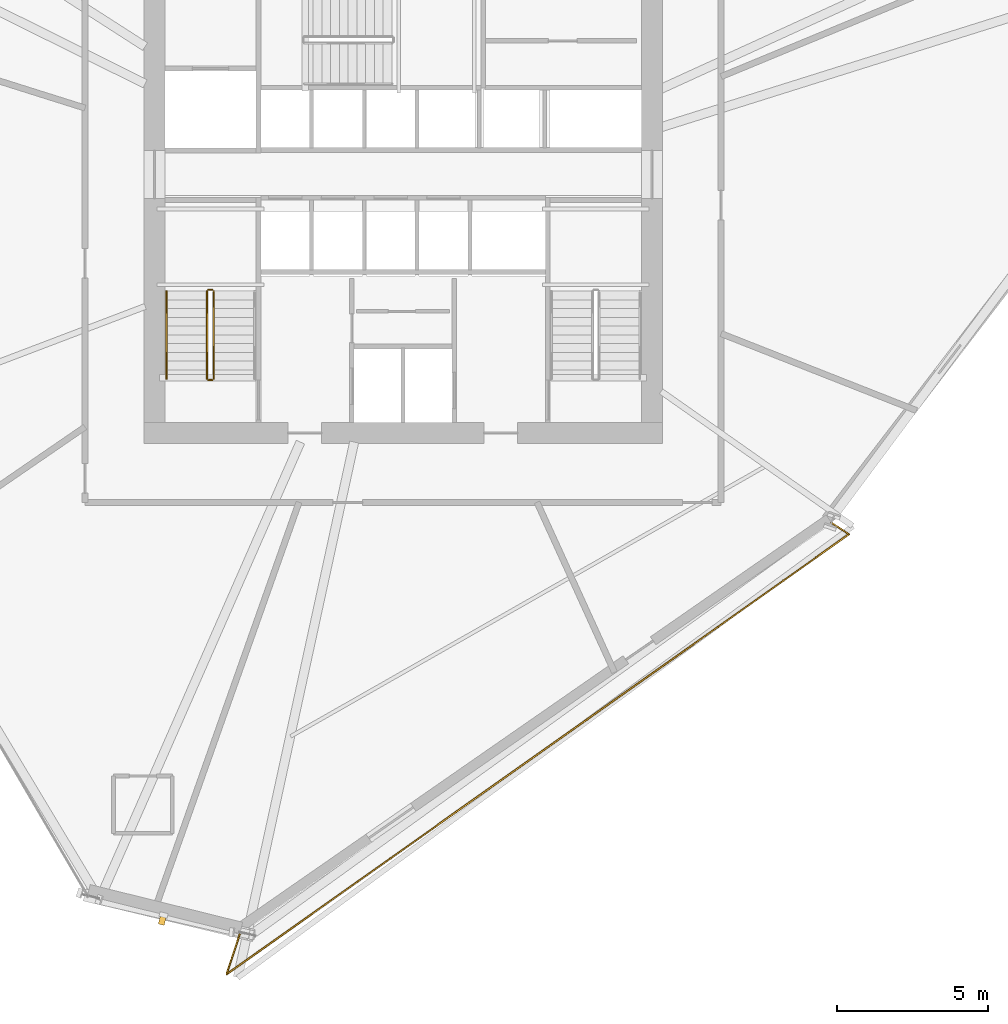
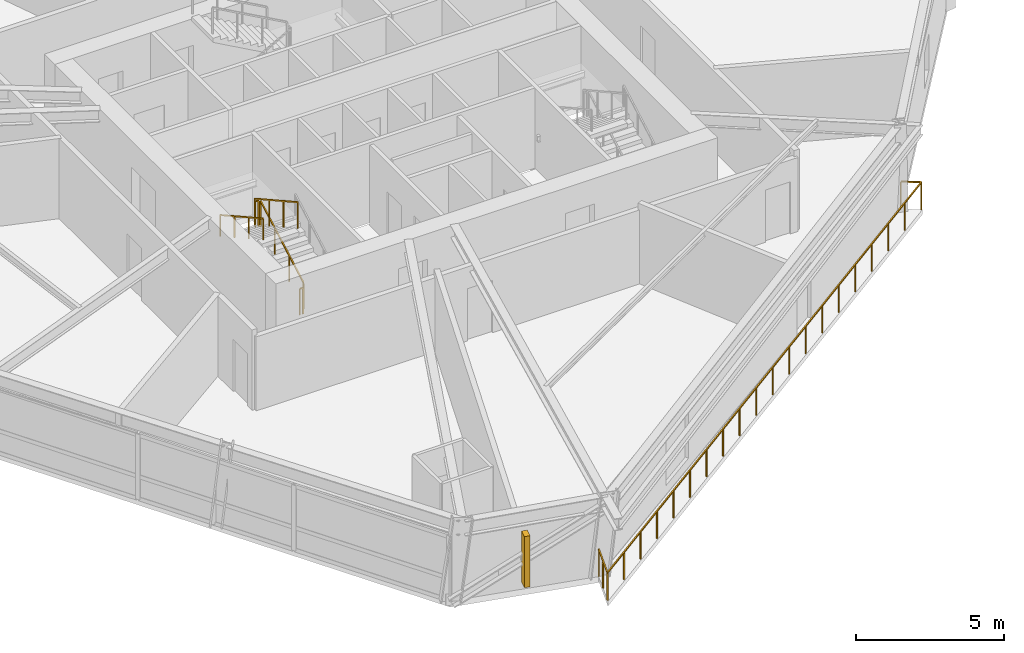
# One storey, part 14 of 17: 6 railings, 1 shading device.
"""IFC4 building model written with IfcOpenShell, lengths in metres."""

from ifc_helpers import new_model, si_unit, direction, frame, origin, origin_2d, place, context, subcontext, project, spatial, rectangle, extrude, source, transform, mapped, material, type_object, element, save


model = new_model("IFC4")

# Units and contexts
model_context = context("Model", 3, precision=1e-05, world=origin(), true_north=direction((0.0, 1.0)))
body_context = subcontext(model_context, "Body", "Model", "MODEL_VIEW")
ifc_project = project(units=[si_unit("LENGTHUNIT", "METRE"), si_unit("AREAUNIT", "SQUARE_METRE"), si_unit("VOLUMEUNIT", "CUBIC_METRE"), si_unit("PLANEANGLEUNIT", "RADIAN"), si_unit("MASSUNIT", "GRAM", prefix="KILO")], contexts=[model_context])

# Site, building, storey
site_placement = place(None, origin())
site = spatial("IfcSite", under=ifc_project, at=site_placement, CompositionType="ELEMENT")
building_placement = place(site_placement, origin())
building = spatial("IfcBuilding", under=site, at=building_placement, Name="Olszyna Solenne Hotel", CompositionType="ELEMENT")
storey_placement = place(building_placement, frame((0.0, 0.0, 116.35009765625)))
storey = spatial("IfcBuildingStorey", under=building, at=storey_placement, Name="L30", CompositionType="ELEMENT", Elevation=116.35009765625)

# Railings
ifc_material_1 = material(Name="Anodised bronze aluminium", Category="aluminium")
railing_type_1 = type_object("IfcRailingType", Name="GR-110", PredefinedType="BALUSTRADE", material=ifc_material_1)
railing_1_placement = place(storey_placement, frame((32.58837890625, 2.549072265625, 0.0)))
element("IfcRailing", 1, at=railing_1_placement, inside=storey, type_object=railing_type_1, Name="Loggia balcony balustrade guard GR-L30-LG3", PredefinedType="BALUSTRADE", context=body_context, shape_type="SweptSolid", body=[
    extrude(rectangle(XDim=0.048095703125, YDim=0.048095703125, at=origin_2d()), frame((0.0, 0.0, 1.1259765625), z_axis=(-0.309611378736, -0.950863183722, 0.0), x_axis=(0.950863183722, -0.309611378736, 0.0)), (0.0, 0.0, 1.0), 1.418701171875),
    extrude(rectangle(XDim=0.048095703125, YDim=0.048095703125, at=origin_2d()), frame((-0.439208984375, -1.348876953125, 1.1259765625), z_axis=(0.816607880192, 0.577192836068, 0.0), x_axis=(-0.577192836068, 0.816607880192, 0.0)), (0.0, 0.0, 1.0), 25.272216796875),
    extrude(rectangle(XDim=0.048095703125, YDim=0.048095703125, at=origin_2d()), frame((20.1982421875, 13.238037109375, 1.1259765625), z_axis=(-0.832540083416, 0.553964808906, 0.0), x_axis=(-0.553964808906, -0.832540083416, 0.0)), (0.0, 0.0, 1.0), 0.689697265625),
    extrude(rectangle(XDim=0.0419921875, YDim=0.0419921875, at=origin_2d()), origin(), (0.0, 0.0, 1.0), 1.101806640625),
    extrude(rectangle(XDim=0.0419921875, YDim=0.0419921875, at=origin_2d()), frame((-0.2197265625, -0.67431640625, 0.0)), (0.0, 0.0, 1.0), 1.101806640625),
    extrude(rectangle(XDim=0.0419921875, YDim=0.0419921875, at=origin_2d()), frame((-0.439208984375, -1.348876953125, 0.0)), (0.0, 0.0, 1.0), 1.101806640625),
    extrude(rectangle(XDim=0.0419921875, YDim=0.0419921875, at=origin_2d()), frame((0.64697265625, -0.5810546875, 0.0)), (0.0, 0.0, 1.0), 1.101806640625),
    extrude(rectangle(XDim=0.0419921875, YDim=0.0419921875, at=origin_2d()), frame((1.733154296875, 0.1865234375, 0.0)), (0.0, 0.0, 1.0), 1.101806640625),
    extrude(rectangle(XDim=0.0419921875, YDim=0.0419921875, at=origin_2d()), frame((2.8193359375, 0.954345703125, 0.0)), (0.0, 0.0, 1.0), 1.101806640625),
    extrude(rectangle(XDim=0.0419921875, YDim=0.0419921875, at=origin_2d()), frame((3.905517578125, 1.72216796875, 0.0)), (0.0, 0.0, 1.0), 1.101806640625),
    extrude(rectangle(XDim=0.0419921875, YDim=0.0419921875, at=origin_2d()), frame((4.99169921875, 2.48974609375, 0.0)), (0.0, 0.0, 1.0), 1.101806640625),
    extrude(rectangle(XDim=0.0419921875, YDim=0.0419921875, at=origin_2d()), frame((6.077880859375, 3.257568359375, 0.0)), (0.0, 0.0, 1.0), 1.101806640625),
    extrude(rectangle(XDim=0.0419921875, YDim=0.0419921875, at=origin_2d()), frame((7.1640625, 4.025146484375, 0.0)), (0.0, 0.0, 1.0), 1.101806640625),
    extrude(rectangle(XDim=0.0419921875, YDim=0.0419921875, at=origin_2d()), frame((8.250244140625, 4.79296875, 0.0)), (0.0, 0.0, 1.0), 1.101806640625),
    extrude(rectangle(XDim=0.0419921875, YDim=0.0419921875, at=origin_2d()), frame((9.33642578125, 5.560791015625, 0.0)), (0.0, 0.0, 1.0), 1.101806640625),
    extrude(rectangle(XDim=0.0419921875, YDim=0.0419921875, at=origin_2d()), frame((10.422607421875, 6.328369140625, 0.0)), (0.0, 0.0, 1.0), 1.101806640625),
    extrude(rectangle(XDim=0.0419921875, YDim=0.0419921875, at=origin_2d()), frame((11.5087890625, 7.09619140625, 0.0)), (0.0, 0.0, 1.0), 1.101806640625),
    extrude(rectangle(XDim=0.0419921875, YDim=0.0419921875, at=origin_2d()), frame((12.594970703125, 7.864013671875, 0.0)), (0.0, 0.0, 1.0), 1.101806640625),
    extrude(rectangle(XDim=0.0419921875, YDim=0.0419921875, at=origin_2d()), frame((13.68115234375, 8.631591796875, 0.0)), (0.0, 0.0, 1.0), 1.101806640625),
    extrude(rectangle(XDim=0.0419921875, YDim=0.0419921875, at=origin_2d()), frame((14.767333984375, 9.3994140625, 0.0)), (0.0, 0.0, 1.0), 1.101806640625),
    extrude(rectangle(XDim=0.0419921875, YDim=0.0419921875, at=origin_2d()), frame((15.853515625, 10.1669921875, 0.0)), (0.0, 0.0, 1.0), 1.101806640625),
    extrude(rectangle(XDim=0.0419921875, YDim=0.0419921875, at=origin_2d()), frame((16.939697265625, 10.934814453125, 0.0)), (0.0, 0.0, 1.0), 1.101806640625),
    extrude(rectangle(XDim=0.0419921875, YDim=0.0419921875, at=origin_2d()), frame((18.02587890625, 11.70263671875, 0.0)), (0.0, 0.0, 1.0), 1.101806640625),
    extrude(rectangle(XDim=0.0419921875, YDim=0.0419921875, at=origin_2d()), frame((19.112060546875, 12.47021484375, 0.0)), (0.0, 0.0, 1.0), 1.101806640625),
    extrude(rectangle(XDim=0.0419921875, YDim=0.0419921875, at=origin_2d()), frame((20.1982421875, 13.238037109375, 0.0)), (0.0, 0.0, 1.0), 1.101806640625),
    extrude(rectangle(XDim=0.0419921875, YDim=0.0419921875, at=origin_2d()), frame((19.6240234375, 13.6201171875, 0.0)), (0.0, 0.0, 1.0), 1.101806640625),
])
railing_2_placement = place(storey_placement, frame((31.719970703125, 20.949951171875, 0.161376953125)))
element("IfcRailing", 2, at=railing_2_placement, inside=storey, type_object=railing_type_1, Name="L30 ST1 stair guard 1", PredefinedType="BALUSTRADE", context=body_context, shape_type="SweptSolid", body=[
    extrude(rectangle(XDim=0.048095703125, YDim=0.048095703125, at=origin_2d()), frame((0.0, 0.0, 1.076171875), z_axis=(0.0, 0.873858693841, 0.486179990537), x_axis=(-1.0, 0.0, 0.0)), (0.0, 0.0, 1.0), 3.31884765625),
    extrude(rectangle(XDim=0.0419921875, YDim=0.0419921875, at=origin_2d()), origin(), (0.0, 0.0, 1.0), 1.052001953125),
    extrude(rectangle(XDim=0.0419921875, YDim=0.0419921875, at=origin_2d()), frame((0.0, 0.966796875, 0.537841796875)), (0.0, 0.0, 1.0), 1.052001953125),
    extrude(rectangle(XDim=0.0419921875, YDim=0.0419921875, at=origin_2d()), frame((0.0, 1.933349609375, 1.07568359375)), (0.0, 0.0, 1.0), 1.052001953125),
    extrude(rectangle(XDim=0.0419921875, YDim=0.0419921875, at=origin_2d()), frame((0.0, 2.900146484375, 1.613525390625)), (0.0, 0.0, 1.0), 1.052001953125),
])
railing_3_placement = place(storey_placement, frame((31.669921875, 23.89990234375, 1.77490234375)))
element("IfcRailing", 3, at=railing_3_placement, inside=storey, type_object=railing_type_1, Name="L30 ST1 stair guard 2", PredefinedType="BALUSTRADE", context=body_context, shape_type="SweptSolid", body=[
    extrude(rectangle(XDim=0.048095703125, YDim=0.048095703125, at=origin_2d()), frame((0.0, 0.0, 1.076171875), z_axis=(-1.0, 0.0, 0.0), x_axis=(0.0, -1.0, 0.0)), (0.0, 0.0, 1.0), 0.119873046875),
    extrude(rectangle(XDim=0.0419921875, YDim=0.0419921875, at=origin_2d()), origin(), (0.0, 0.0, 1.0), 1.052001953125),
    extrude(rectangle(XDim=0.0419921875, YDim=0.0419921875, at=origin_2d()), frame((-0.119873046875, 0.0, 0.0)), (0.0, 0.0, 1.0), 1.052001953125),
])
railing_4_placement = place(storey_placement, frame((31.5, 23.85009765625, 1.936279296875)))
element("IfcRailing", 4, at=railing_4_placement, inside=storey, type_object=railing_type_1, Name="L30 ST1 stair guard 3", PredefinedType="BALUSTRADE", context=body_context, shape_type="SweptSolid", body=[
    extrude(rectangle(XDim=0.048095703125, YDim=0.048095703125, at=origin_2d()), frame((0.0, 0.0, 1.076171875), z_axis=(0.0, -0.873858693841, 0.486179990537), x_axis=(1.0, 0.0, 0.0)), (0.0, 0.0, 1.0), 3.31884765625),
    extrude(rectangle(XDim=0.0419921875, YDim=0.0419921875, at=origin_2d()), origin(), (0.0, 0.0, 1.0), 1.052001953125),
    extrude(rectangle(XDim=0.0419921875, YDim=0.0419921875, at=origin_2d()), frame((0.0, -0.966796875, 0.537841796875)), (0.0, 0.0, 1.0), 1.052001953125),
    extrude(rectangle(XDim=0.0419921875, YDim=0.0419921875, at=origin_2d()), frame((0.0, -1.933349609375, 1.07568359375)), (0.0, 0.0, 1.0), 1.052001953125),
    extrude(rectangle(XDim=0.0419921875, YDim=0.0419921875, at=origin_2d()), frame((0.0, -2.900146484375, 1.613525390625)), (0.0, 0.0, 1.0), 1.052001953125),
])
railing_5_placement = place(storey_placement, frame((31.669921875, 20.89990234375, 0.0)))
element("IfcRailing", 5, at=railing_5_placement, inside=storey, type_object=railing_type_1, Name="L30 ST1 stair guard 4", PredefinedType="BALUSTRADE", context=body_context, shape_type="SweptSolid", body=[
    extrude(rectangle(XDim=0.048095703125, YDim=0.048095703125, at=origin_2d()), frame((0.0, 0.0, 1.076171875), z_axis=(-1.0, 0.0, 0.0), x_axis=(0.0, -1.0, 0.0)), (0.0, 0.0, 1.0), 0.119873046875),
    extrude(rectangle(XDim=0.0419921875, YDim=0.0419921875, at=origin_2d()), origin(), (0.0, 0.0, 1.0), 1.052001953125),
    extrude(rectangle(XDim=0.0419921875, YDim=0.0419921875, at=origin_2d()), frame((-0.119873046875, 0.0, 0.0)), (0.0, 0.0, 1.0), 1.052001953125),
])
ifc_material_2 = material(Name="Steel S355J2", Category="steel")
railing_type_2 = type_object("IfcRailingType", Name="HR-090", PredefinedType="HANDRAIL", material=ifc_material_2)
railing_6_placement = place(storey_placement, frame((30.14990234375, 23.85009765625, 1.936279296875)))
element("IfcRailing", 6, at=railing_6_placement, inside=storey, type_object=railing_type_2, Name="L30 ST1 stair handrail 2", PredefinedType="HANDRAIL", context=body_context, shape_type="SweptSolid", body=[
    extrude(rectangle(XDim=0.048095703125, YDim=0.048095703125, at=origin_2d()), frame((0.0, 0.0, 0.8759765625), z_axis=(0.0, -0.873858693841, 0.486179990537), x_axis=(1.0, 0.0, 0.0)), (0.0, 0.0, 1.0), 3.31884765625),
    extrude(rectangle(XDim=0.0419921875, YDim=0.0419921875, at=origin_2d()), origin(), (0.0, 0.0, 1.0), 0.851806640625),
    extrude(rectangle(XDim=0.0419921875, YDim=0.0419921875, at=origin_2d()), frame((0.0, -0.966796875, 0.537841796875)), (0.0, 0.0, 1.0), 0.851806640625),
    extrude(rectangle(XDim=0.0419921875, YDim=0.0419921875, at=origin_2d()), frame((0.0, -1.933349609375, 1.07568359375)), (0.0, 0.0, 1.0), 0.851806640625),
    extrude(rectangle(XDim=0.0419921875, YDim=0.0419921875, at=origin_2d()), frame((0.0, -2.900146484375, 1.613525390625)), (0.0, 0.0, 1.0), 0.851806640625),
])

# Shading device
ifc_material_3 = material(Name="Terracotta cladding", Category="masonry")
shading_device_type = type_object("IfcShadingDeviceType", Name="SH-FN1", PredefinedType="USERDEFINED", material=ifc_material_3)
shared_shape = source(origin(), body_context, "Body", "SweptSolid", [
    extrude(rectangle(XDim=0.199951171875, YDim=0.35009765625, at=origin_2d()), origin(), (0.0, 0.0, 1.0), 2.10009765625),
])
shading_device_placement = place(storey_placement, frame((30.01806640625, 3.010009765625, 0.2958984375), z_axis=(0.0, 0.0, 1.0), x_axis=(-0.970716481578, 0.240228042477, 0.0)))
element("IfcShadingDevice", 7, at=shading_device_placement, inside=storey, type_object=shading_device_type, Name="Chamfer wind-corner terracotta fin FN-L30-02", ObjectType="FIN", PredefinedType="USERDEFINED", context=body_context, shape_type="MappedRepresentation", body=[
    mapped(shared_shape, transform((0.0, 0.0, 0.0), x_axis=(1.0, 0.0, 0.0), y_axis=(0.0, 1.0, 0.0), z_axis=(0.0, 0.0, 1.0), scale=1.0)),
])

save(model, "model.ifc")
